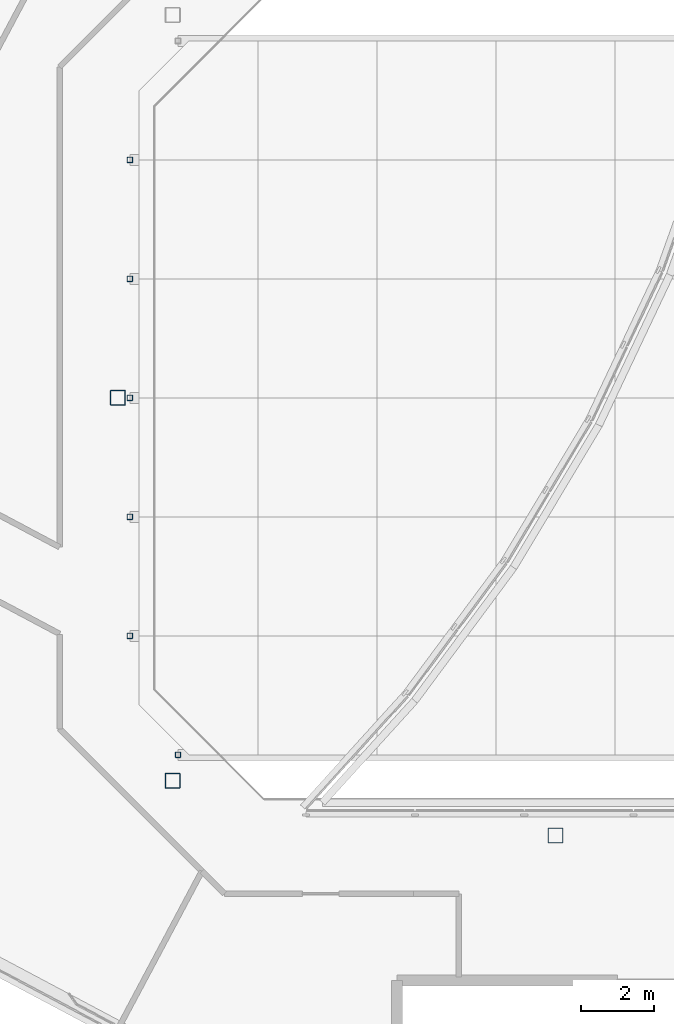
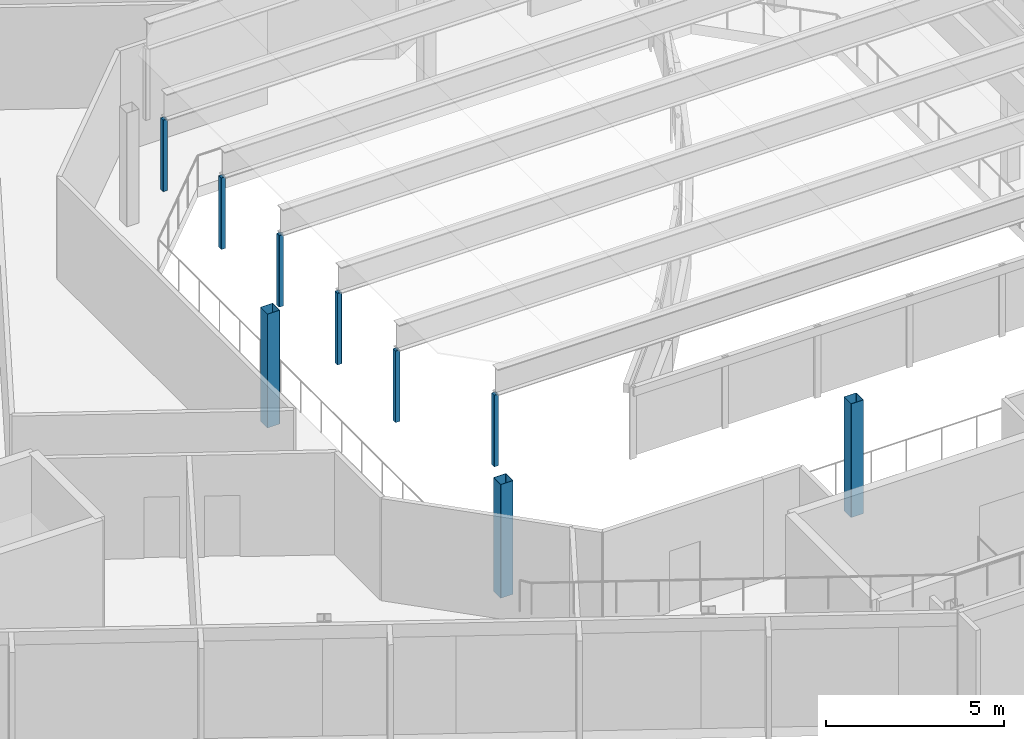
# One storey, part 2 of 35: 9 columns.
"""IFC4 building model written with IfcOpenShell, lengths in metres."""

import ifcopenshell
import ifcopenshell.guid

model = None  # the IFC model being written
_history = None  # IfcOwnerHistory: only IFC2X3 demands one
_inside = {}  # id of a spatial element -> (the spatial element, [elements in it])
_under = {}  # id of a project, library or spatial element -> (it, [spatial elements below it])
_declared = {}  # id of a project -> (the project, [libraries it declares])
_typed = {}  # id of a type object -> (the type object, [elements of that type])
_made_of = {}  # id of a material, layer set ... -> (it, [elements and type objects made of it])


def new_model(schema):
    """Start an empty IFC model of exactly this schema.

    Asked for "IFC4X3", IfcOpenShell would pick the latest addendum, in which some entities
    have other attributes; the version numbers below select the first issue.
    IFC2X3 requires an IfcOwnerHistory on every rooted entity: one is made here for all.
    """
    global model, _history
    if schema == "IFC4X3":
        model = ifcopenshell.file(schema_version=(4, 3, 0, 0))
    else:
        model = ifcopenshell.file(schema=schema)
    _inside.clear()
    _under.clear()
    _declared.clear()
    _typed.clear()
    _made_of.clear()
    _history = None
    if model.schema == "IFC2X3":
        org = make("IfcOrganization", Name="unknown")
        user = make(
            "IfcPersonAndOrganization",
            ThePerson=make("IfcPerson", FamilyName="unknown"),
            TheOrganization=org,
        )
        app = make(
            "IfcApplication",
            ApplicationDeveloper=org,
            Version="unknown",
            ApplicationFullName="unknown",
            ApplicationIdentifier="unknown",
        )
        _history = make(
            "IfcOwnerHistory",
            OwningUser=user,
            OwningApplication=app,
            ChangeAction="ADDED",
            CreationDate=0,
        )
    return model


def make(cls, **values):
    """One entity of the class cls with the attributes given. An attribute that is None is left unset."""
    return model.create_entity(
        cls, **{name: value for name, value in values.items() if value is not None}
    )


def rooted(cls, **values):
    """An entity with a GlobalId (a new one), such as an element, a storey or a relation."""
    return make(cls, GlobalId=ifcopenshell.guid.new(), OwnerHistory=_history, **values)


def si_unit(unit_type, name, prefix=None):
    """IfcSIUnit, for example si_unit("LENGTHUNIT", "METRE", prefix="MILLI")."""
    return make("IfcSIUnit", UnitType=unit_type, Prefix=prefix, Name=name)


def assignment(units):
    """IfcUnitAssignment: the units of a project."""
    return None if units is None else make("IfcUnitAssignment", Units=units)


def point(xyz):
    """IfcCartesianPoint."""
    return None if xyz is None else make("IfcCartesianPoint", Coordinates=xyz)


def direction(xyz):
    """IfcDirection."""
    return None if xyz is None else make("IfcDirection", DirectionRatios=xyz)


def frame(location, z_axis=None, x_axis=None):
    """IfcAxis2Placement3D, a coordinate frame: its origin and axes. An axis left out is left unset."""
    return make(
        "IfcAxis2Placement3D",
        Location=point(location),
        Axis=direction(z_axis),
        RefDirection=direction(x_axis),
    )


def frame_2d(location, x_axis=None):
    """IfcAxis2Placement2D, a coordinate frame in the plane: its origin and x axis."""
    return make(
        "IfcAxis2Placement2D", Location=point(location), RefDirection=direction(x_axis)
    )


def origin():
    """The frame at (0, 0, 0) with its axes left unset."""
    return frame((0.0, 0.0, 0.0))


def origin_2d():
    """The frame at (0, 0) in the plane with its x axis left unset."""
    return frame_2d((0.0, 0.0))


def place(relative_to, where):
    """IfcLocalPlacement: puts the frame where relative to a parent placement (None: the world)."""
    return make(
        "IfcLocalPlacement", PlacementRelTo=relative_to, RelativePlacement=where
    )


def context(
    kind, dimensions, precision=None, world=None, true_north=None, identifier=None
):
    """IfcGeometricRepresentationContext, for example the 3D "Model" context."""
    return make(
        "IfcGeometricRepresentationContext",
        ContextIdentifier=identifier,
        ContextType=kind,
        CoordinateSpaceDimension=dimensions,
        Precision=precision,
        WorldCoordinateSystem=world,
        TrueNorth=true_north,
    )


def subcontext(parent, identifier, kind, view, scale=None):
    """IfcGeometricRepresentationSubContext, for example "Body" below "Model"."""
    return make(
        "IfcGeometricRepresentationSubContext",
        ContextIdentifier=identifier,
        ContextType=kind,
        ParentContext=parent,
        TargetScale=scale,
        TargetView=view,
    )


def project(units=None, contexts=None):
    """IfcProject with its units and contexts."""
    return rooted(
        "IfcProject",
        Name="project",
        RepresentationContexts=contexts,
        UnitsInContext=assignment(units),
    )


def spatial(cls, under=None, at=None, **own):
    """A site, building, storey or space (cls), placed at a placement, below another one or the project."""
    s = rooted(cls, ObjectPlacement=at, **own)
    if under is not None:
        _under.setdefault(under.id(), (under, []))[1].append(s)
    return s


def profile(cls, at=None, kind="AREA", **sizes):
    """A parametric profile (cls). Its sizes go by their IFC names, for example OverallWidth=200.0."""
    return make(cls, ProfileType=kind, Position=at, **sizes)


def hollow_rectangle(**sizes):
    """IfcRectangleHollowProfileDef."""
    return profile("IfcRectangleHollowProfileDef", **sizes)


def extrude(swept, where, along, depth):
    """IfcExtrudedAreaSolid: the profile swept, set in the frame where, extruded along a direction by depth."""
    return make(
        "IfcExtrudedAreaSolid",
        SweptArea=swept,
        Position=where,
        ExtrudedDirection=direction(along),
        Depth=depth,
    )


def shape(context_of_items, identifier, shape_type, items):
    """IfcShapeRepresentation: the items that make up one representation, for example the "Body"."""
    return make(
        "IfcShapeRepresentation",
        ContextOfItems=context_of_items,
        RepresentationIdentifier=identifier,
        RepresentationType=shape_type,
        Items=items,
    )


def material(Name=None, Category=None):
    """IfcMaterial."""
    return make("IfcMaterial", Name=Name, Category=Category)


def material_profile(
    of_material, cross_section, Name=None, Category=None, Priority=None
):
    """IfcMaterialProfile: a cross section and its material."""
    return make(
        "IfcMaterialProfile",
        Name=Name,
        Material=of_material,
        Profile=cross_section,
        Priority=Priority,
        Category=Category,
    )


def profile_set(profiles, Name=None, composite=None):
    """IfcMaterialProfileSet."""
    return make(
        "IfcMaterialProfileSet",
        Name=Name,
        MaterialProfiles=profiles,
        CompositeProfile=composite,
    )


def made_of(thing, what):
    """Note that an element or type object is made of a material, layer set ...; save() writes the relation."""
    if what is not None:
        _made_of.setdefault(what.id(), (what, []))[1].append(thing)
    return thing


def type_object(cls, material=None, **own):
    """A type object (cls), such as IfcWallType, which elements share."""
    return made_of(rooted(cls, **own), material)


def element(
    cls,
    number,
    at=None,
    inside=None,
    cuts=None,
    type_object=None,
    material=None,
    context=None,
    identifier="Body",
    shape_type=None,
    held_by="IfcProductDefinitionShape",
    body=None,
    shapes=None,
    **own,
):
    """One element of the class cls, such as IfcWall. Its Tag is "e" and its number.

    at: its placement. inside: the storey or other place that contains it. cuts: it is an
    opening in that element (IfcRelVoidsElement). A single representation is given by context,
    identifier, shape_type and body (its items); several are given by shapes. held_by: the class
    of the entity that holds the representations. save() writes the other relations.
    """
    e = rooted(cls, Tag="e%d" % number, ObjectPlacement=at, **own)
    if body is not None:
        shapes = [shape(context, identifier, shape_type, body)]
    if shapes is not None:
        e.Representation = make(held_by, Representations=shapes)
    if inside is not None:
        _inside.setdefault(inside.id(), (inside, []))[1].append(e)
    if cuts is not None:
        rooted(
            "IfcRelVoidsElement", RelatingBuildingElement=cuts, RelatedOpeningElement=e
        )
    if type_object is not None:
        _typed.setdefault(type_object.id(), (type_object, []))[1].append(e)
    return made_of(e, material)


def aggregate(whole, parts):
    """IfcRelAggregates: a whole, such as a stair, and the parts it consists of."""
    return rooted("IfcRelAggregates", RelatingObject=whole, RelatedObjects=parts)


def save(model, path):
    """Write the relations noted so far, then the file.

    IfcRelAggregates (storeys below a building ...), IfcRelContainedInSpatialStructure (elements
    in a storey), IfcRelDefinesByType, IfcRelAssociatesMaterial and IfcRelDeclares: one each for
    every whole, place, type object, material and project.
    """
    for whole, parts in _under.values():
        aggregate(whole, parts)
    for where, things in _inside.values():
        rooted(
            "IfcRelContainedInSpatialStructure",
            RelatedElements=things,
            RelatingStructure=where,
        )
    for kind, things in _typed.values():
        rooted("IfcRelDefinesByType", RelatedObjects=things, RelatingType=kind)
    for what, things in _made_of.values():
        rooted("IfcRelAssociatesMaterial", RelatedObjects=things, RelatingMaterial=what)
    for by, libraries in _declared.values():
        rooted("IfcRelDeclares", RelatingContext=by, RelatedDefinitions=libraries)
    model.write(path)


model = new_model("IFC4")

# Units and contexts
model_context = context("Model", 3, precision=1e-05, world=origin(), true_north=direction((0.0, 1.0)))
body_context = subcontext(model_context, "Body", "Model", "MODEL_VIEW")
ifc_project = project(units=[si_unit("LENGTHUNIT", "METRE"), si_unit("AREAUNIT", "SQUARE_METRE"), si_unit("VOLUMEUNIT", "CUBIC_METRE"), si_unit("PLANEANGLEUNIT", "RADIAN"), si_unit("MASSUNIT", "GRAM", prefix="KILO")], contexts=[model_context])

# Site, building, storey
site_placement = place(None, origin())
site = spatial("IfcSite", under=ifc_project, at=site_placement, CompositionType="ELEMENT")
building_placement = place(site_placement, origin())
building = spatial("IfcBuilding", under=site, at=building_placement, Name="Cormorant Relay Tower", CompositionType="ELEMENT")
storey_placement = place(building_placement, frame((0.0, 0.0, 324.300048828125)))
storey = spatial("IfcBuildingStorey", under=building, at=storey_placement, Name="L74", CompositionType="ELEMENT", Elevation=324.300048828125)

# Columns
ifc_material_1 = material(Name="Steel ASTM A500 Grade C (Fy 345 MPa)", Category="steel")
ifc_material_profile_1 = material_profile(ifc_material_1, hollow_rectangle(XDim=0.14990234375, YDim=0.14990234375, WallThickness=0.008056640625, InnerFilletRadius=0.00390625, OuterFilletRadius=0.011962890625, at=origin_2d()), Name="RHS150x150x8")
ifc_profile_set_1 = profile_set([ifc_material_profile_1], Name="Steel ASTM A500 Grade C (Fy 345 MPa)")
column_type_1 = type_object("IfcColumnType", Name="CW5 lantern post RHS 150 x 150", PredefinedType="COLUMN", material=ifc_profile_set_1)
for number, where, z_axis, x_axis, name in (
    (1, (-10.351318359375, -9.78857421875, 3.89990234375), (0.0, 0.0, 1.0), (1.0, 0.0, 0.0), "CW5 lantern post 1"),
    (2, (-11.669921875, -6.525634765625, 3.89990234375), (0.0, 0.0, 1.0), (1.0, 0.0, 0.0), "CW5 lantern post 3"),
    (3, (-11.669921875, -3.262939453125, 3.89990234375), (0.0, 0.0, 1.0), (1.0, 0.0, 0.0), "CW5 lantern post 5"),
    (4, (-11.669921875, 0.0, 3.89990234375), (0.0, 0.0, 1.0), (1.0, 0.0, 0.0), "CW5 lantern post 7"),
    (5, (-11.669921875, 3.262939453125, 3.89990234375), (0.0, 0.0, 1.0), (1.0, 0.0, 0.0), "CW5 lantern post 9"),
    (6, (-11.669921875, 6.525634765625, 3.89990234375), (0.0, 0.0, 1.0), (1.0, 0.0, 0.0), "CW5 lantern post 11"),
):
    element("IfcColumn", number, at=place(storey_placement, frame(where, z_axis=z_axis, x_axis=x_axis)), inside=storey, type_object=column_type_1, Name=name, PredefinedType="COLUMN", context=body_context, shape_type="SweptSolid", body=[
        extrude(hollow_rectangle(XDim=0.14990234375, YDim=0.14990234375, WallThickness=0.008056640625, InnerFilletRadius=0.00390625, OuterFilletRadius=0.011962890625, at=origin_2d()), origin(), (0.0, 0.0, 1.0), 2.449951171875),
    ])
ifc_material_2 = material(Name="Steel ASTM A500 Grade C (Fy 345 MPa)", Category="steel")
ifc_material_profile_2 = material_profile(ifc_material_2, hollow_rectangle(XDim=0.406494140625, YDim=0.406494140625, WallThickness=0.0087890625, InnerFilletRadius=0.00439453125, OuterFilletRadius=0.01318359375, at=origin_2d()), Name="HSS406x406x9")
ifc_profile_set_2 = profile_set([ifc_material_profile_2], Name="Steel ASTM A500 Grade C (Fy 345 MPa)")
column_type_2 = type_object("IfcColumnType", Name="Column HSS406x406x9", PredefinedType="COLUMN", material=ifc_profile_set_2)
for number, where, z_axis, x_axis, name in (
    (7, (0.0, -12.0, 0.0), (0.0, 0.0, 1.0), (1.0, 0.0, 0.0), "Column L74-007"),
    (8, (-10.5, -10.5, 0.0), (0.0, 0.0, 1.0), (1.0, 0.0, 0.0), "Column L74-009"),
    (9, (-12.0, 0.0, 0.0), (0.0, 0.0, 1.0), (1.0, 0.0, 0.0), "Column L74-015"),
):
    element("IfcColumn", number, at=place(storey_placement, frame(where, z_axis=z_axis, x_axis=x_axis)), inside=storey, type_object=column_type_2, Name=name, PredefinedType="COLUMN", context=body_context, shape_type="SweptSolid", body=[
        extrude(hollow_rectangle(XDim=0.406494140625, YDim=0.406494140625, WallThickness=0.0087890625, InnerFilletRadius=0.00439453125, OuterFilletRadius=0.01318359375, at=origin_2d()), origin(), (0.0, 0.0, 1.0), 3.89990234375),
    ])

save(model, "model.ifc")
